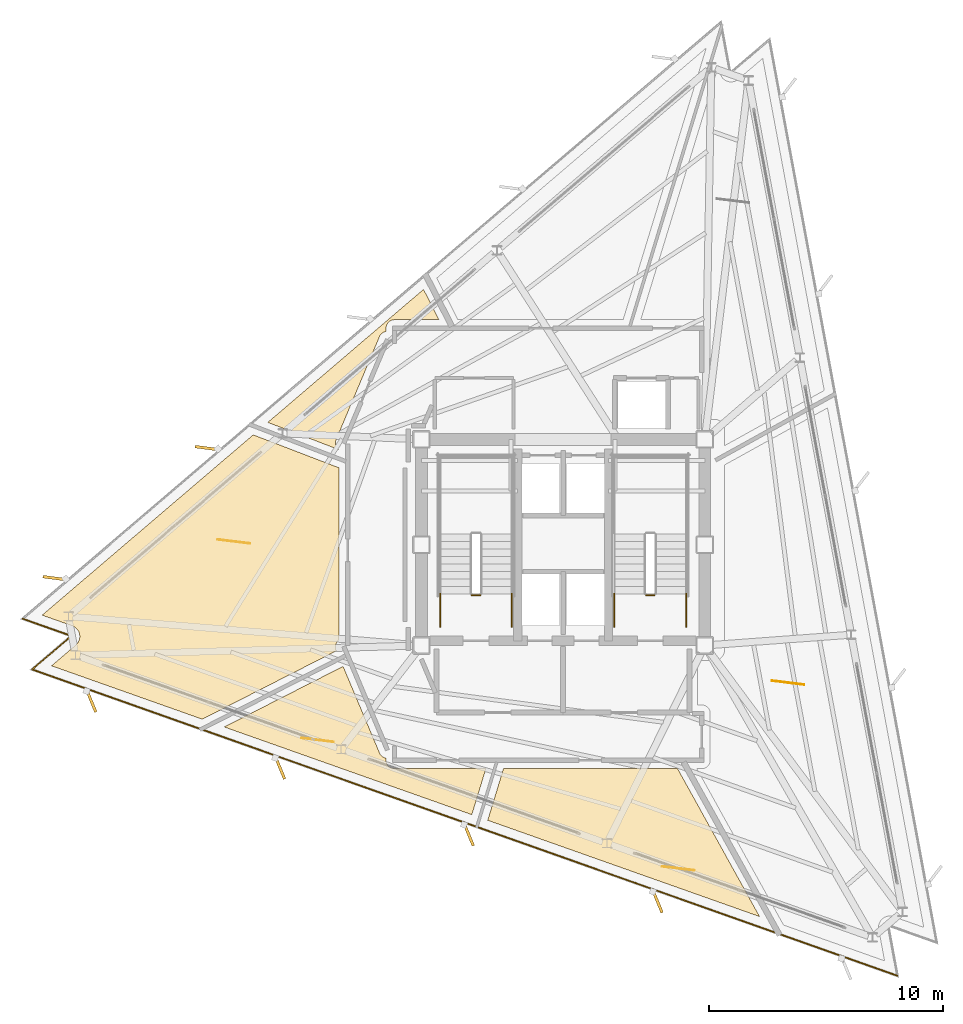
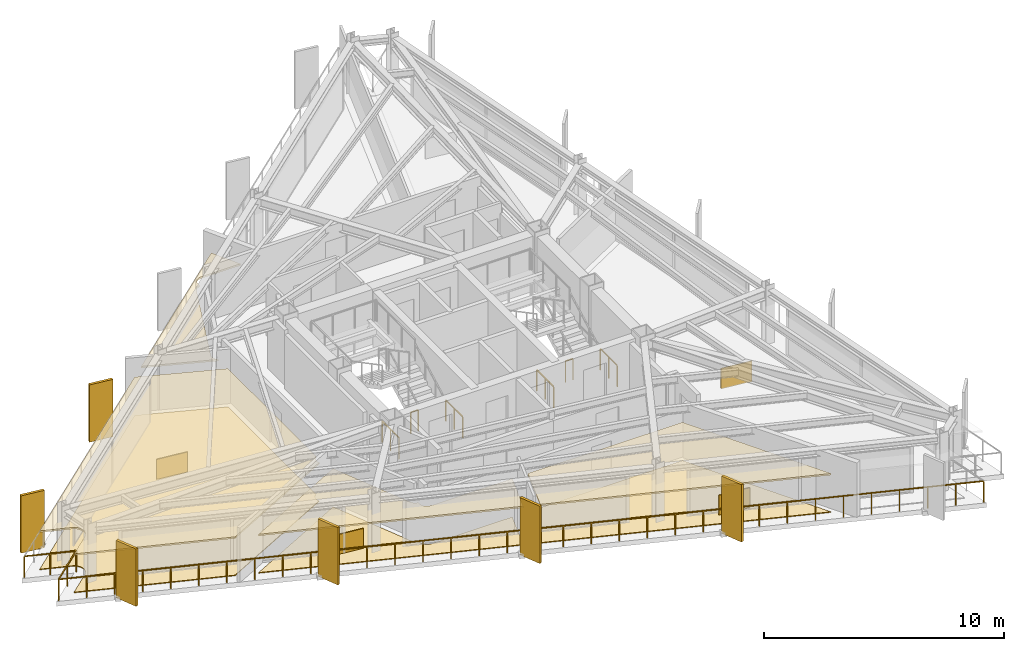
# One storey, part 11 of 14: 11 coverings, 7 railings, 6 shading devices.
"""IFC4 building model written with IfcOpenShell, lengths in metres."""

from ifc_helpers import new_model, si_unit, direction, frame, origin, origin_2d, place, context, subcontext, project, spatial, polyline, rectangle, outline, extrude, material, layer, layer_set, type_object, element, save


model = new_model("IFC4")

# Units and contexts
model_context = context("Model", 3, precision=1e-05, world=origin(), true_north=direction((0.0, 1.0)))
body_context = subcontext(model_context, "Body", "Model", "MODEL_VIEW")
ifc_project = project(units=[si_unit("LENGTHUNIT", "METRE"), si_unit("AREAUNIT", "SQUARE_METRE"), si_unit("VOLUMEUNIT", "CUBIC_METRE"), si_unit("PLANEANGLEUNIT", "RADIAN"), si_unit("MASSUNIT", "GRAM", prefix="KILO")], contexts=[model_context])

# Site, building, storey
site_placement = place(None, origin())
site = spatial("IfcSite", under=ifc_project, at=site_placement, CompositionType="ELEMENT")
building_placement = place(site_placement, origin())
building = spatial("IfcBuilding", under=site, at=building_placement, Name="Rocaltana Carrier Exchange", CompositionType="ELEMENT")
storey_placement = place(building_placement, frame((0.0, 0.0, 178.39990234375)))
storey = spatial("IfcBuildingStorey", under=building, at=storey_placement, Name="L56", CompositionType="ELEMENT", Elevation=178.39990234375)

# Coverings
ifc_material_1 = material(Name="Honed Bogota Sandstone Tile", Category="masonry")
ifc_layer_1 = layer(ifc_material_1, 0.0400390625)
ifc_layer_set_1 = layer_set([ifc_layer_1], Name="Honed Bogota Sandstone Tile")
covering_type_1 = type_object("IfcCoveringType", Name="Honed Stone Lobby Flooring 40", PredefinedType="FLOORING", material=ifc_layer_set_1)
covering_1_placement = place(storey_placement, origin())
element("IfcCovering", 1, at=covering_1_placement, inside=storey, type_object=covering_type_1, Name="L56 Client Reception Foyer Finish Floor", PredefinedType="FLOORING", context=body_context, shape_type="SweptSolid", body=[
    extrude(outline(polyline([(-20.80615234375, -4.279052734375), (-20.795654296875, -4.269775390625), (-20.78125, -4.256103515625), (-20.761962890625, -4.23583984375), (-20.748779296875, -4.220703125), (-20.731689453125, -4.19873046875), (-20.72021484375, -4.1826171875), (-20.705078125, -4.158935546875), (-20.6953125, -4.1416015625), (-20.682861328125, -4.11669921875), (-20.6748046875, -4.098388671875), (-20.664794921875, -4.072265625), (-20.65869140625, -4.053466796875), (-20.6513671875, -4.0263671875), (-20.64697265625, -4.0068359375), (-20.642333984375, -3.9794921875), (-20.64013671875, -3.959716796875), (-20.63818359375, -3.931884765625), (-20.637939453125, -3.911865234375), (-20.638916015625, -3.8837890625), (-20.640625, -3.864013671875), (-20.644287109375, -3.83642578125), (-20.64794921875, -3.81689453125), (-20.654296875, -3.78955078125), (-20.659912109375, -3.7705078125), (-20.6689453125, -3.744140625), (-20.676513671875, -3.7255859375), (-20.688232421875, -3.7001953125), (-20.697509765625, -3.6826171875), (-20.711669921875, -3.658447265625), (-20.72265625, -3.641845703125), (-20.739013671875, -3.619384765625), (-20.751708984375, -3.60400390625), (-20.770263671875, -3.5830078125), (-20.7841796875, -3.569091796875), (-20.804931640625, -3.55029296875), (-20.8203125, -3.53759765625), (-20.8427734375, -3.520751953125), (-20.859375, -3.509765625), (-20.88330078125, -3.495361328125), (-20.90087890625, -3.486083984375), (-20.926025390625, -3.47412109375), (-20.944580078125, -3.466552734375), (-20.95751953125, -3.46142578125), (-22.247802734375, -3.004638671875), (-13.2333984375, 4.694091796875), (-9.56005859375, 3.2841796875), (-9.56005859375, -4.052001953125), (-9.57177734375, -4.06005859375), (-9.578125, -4.064697265625), (-9.59912109375, -4.082275390625), (-9.60498046875, -4.087646484375), (-9.624267578125, -4.107177734375), (-9.629638671875, -4.113037109375), (-9.64697265625, -4.134521484375), (-9.651611328125, -4.140625), (-9.666748046875, -4.16357421875), (-9.670654296875, -4.17041015625), (-9.68359375, -4.194580078125), (-9.686767578125, -4.201904296875), (-9.697265625, -4.227294921875), (-9.69970703125, -4.234619140625), (-9.70751953125, -4.260986328125), (-9.70947265625, -4.2685546875), (-9.714599609375, -4.295654296875), (-9.7158203125, -4.30322265625), (-9.718505859375, -4.330810546875), (-9.71875, -4.33837890625), (-9.718505859375, -4.365966796875), (-9.71826171875, -4.373779296875), (-9.71533203125, -4.401123046875), (-9.714111328125, -4.408935546875), (-9.70849609375, -4.435791015625), (-9.706787109375, -4.443603515625), (-9.698486328125, -4.4697265625), (-9.69580078125, -4.47705078125), (-9.69091796875, -4.489990234375), (-9.67578125, -4.52587890625), (-15.4091796875, -7.447509765625), (-21.8466796875, -5.167724609375), (-20.80615234375, -4.279052734375)])), origin(), (0.0, 0.0, 1.0), 0.0400390625),
])
covering_2_placement = place(storey_placement, origin())
element("IfcCovering", 2, at=covering_2_placement, inside=storey, type_object=covering_type_1, Name="L56 Staff Break Pantry Finish Floor", PredefinedType="FLOORING", context=body_context, shape_type="SweptSolid", body=[
    extrude(outline(polyline([(-14.4736328125, -7.77880859375), (-9.39599609375, -5.19140625), (-7.8408203125, -8.889892578125), (-7.835205078125, -8.90234375), (-7.831787109375, -8.909423828125), (-7.818603515625, -8.93359375), (-7.814697265625, -8.9404296875), (-7.79931640625, -8.963134765625), (-7.794677734375, -8.969482421875), (-7.777099609375, -8.990478515625), (-7.771728515625, -8.996337890625), (-7.752197265625, -9.015625), (-7.746337890625, -9.02099609375), (-7.72509765625, -9.038330078125), (-7.71875, -9.04296875), (-7.69580078125, -9.05810546875), (-7.68896484375, -9.06201171875), (-7.664794921875, -9.074951171875), (-7.65771484375, -9.078125), (-7.632080078125, -9.088623046875), (-7.624755859375, -9.09130859375), (-7.598388671875, -9.09912109375), (-7.5908203125, -9.100830078125), (-7.563720703125, -9.106201171875), (-7.56005859375, -9.106689453125), (-7.56005859375, -9.199951171875), (-7.559814453125, -9.213623046875), (-7.559326171875, -9.2216796875), (-7.556640625, -9.248779296875), (-7.555419921875, -9.256591796875), (-7.550048828125, -9.28369140625), (-7.548095703125, -9.291259765625), (-7.540283203125, -9.317626953125), (-7.53759765625, -9.324951171875), (-7.527099609375, -9.350341796875), (-7.523681640625, -9.357421875), (-7.5107421875, -9.381591796875), (-7.506591796875, -9.388427734375), (-7.491455078125, -9.4111328125), (-7.48681640625, -9.41748046875), (-7.46923828125, -9.438720703125), (-7.464111328125, -9.444580078125), (-7.444580078125, -9.464111328125), (-7.438720703125, -9.46923828125), (-7.41748046875, -9.48681640625), (-7.4111328125, -9.491455078125), (-7.388427734375, -9.506591796875), (-7.381591796875, -9.5107421875), (-7.357421875, -9.523681640625), (-7.350341796875, -9.527099609375), (-7.324951171875, -9.53759765625), (-7.317626953125, -9.540283203125), (-7.291259765625, -9.548095703125), (-7.28369140625, -9.550048828125), (-7.256591796875, -9.555419921875), (-7.248779296875, -9.556640625), (-7.2216796875, -9.559326171875), (-7.213623046875, -9.559814453125), (-7.199951171875, -9.56005859375), (-3.29931640625, -9.56005859375), (-3.8994140625, -11.523193359375), (-14.4736328125, -7.77880859375)])), origin(), (0.0, 0.0, 1.0), 0.0400390625),
])
covering_3_placement = place(storey_placement, origin())
element("IfcCovering", 3, at=covering_3_placement, inside=storey, type_object=covering_type_1, Name="L56 Client Reception Foyer Finish Floor", PredefinedType="FLOORING", context=body_context, shape_type="SweptSolid", body=[
    extrude(outline(polyline([(-3.22021484375, -11.763916015625), (-2.54638671875, -9.56005859375), (4.8876953125, -9.56005859375), (8.3876953125, -15.874267578125), (-3.22021484375, -11.763916015625)])), origin(), (0.0, 0.0, 1.0), 0.0400390625),
])
ifc_material_2 = material(Name="Anodised Aluminium 6063-T6", Category="aluminium")
ifc_layer_2 = layer(ifc_material_2, 0.0849609375)
ifc_layer_set_2 = layer_set([ifc_layer_2], Name="Anodised Aluminium 6063-T6")
covering_type_2 = type_object("IfcCoveringType", Name="Linear Baffle Acoustic Ceiling 85", PredefinedType="CEILING", material=ifc_layer_set_2)
covering_4_placement = place(storey_placement, frame((0.0, 0.0, 1.903076171875)))
element("IfcCovering", 4, at=covering_4_placement, inside=storey, type_object=covering_type_2, Name="L56 Client Reception Foyer Acoustic Ceiling", PredefinedType="CEILING", context=body_context, shape_type="SweptSolid", body=[
    extrude(outline(polyline([(-20.80615234375, -4.279052734375), (-20.795654296875, -4.269775390625), (-20.78125, -4.256103515625), (-20.761962890625, -4.23583984375), (-20.748779296875, -4.220703125), (-20.731689453125, -4.19873046875), (-20.72021484375, -4.1826171875), (-20.705078125, -4.158935546875), (-20.6953125, -4.1416015625), (-20.682861328125, -4.11669921875), (-20.6748046875, -4.098388671875), (-20.664794921875, -4.072265625), (-20.65869140625, -4.053466796875), (-20.6513671875, -4.0263671875), (-20.64697265625, -4.0068359375), (-20.642333984375, -3.9794921875), (-20.64013671875, -3.959716796875), (-20.63818359375, -3.931884765625), (-20.637939453125, -3.911865234375), (-20.638916015625, -3.8837890625), (-20.640625, -3.864013671875), (-20.644287109375, -3.83642578125), (-20.64794921875, -3.81689453125), (-20.654296875, -3.78955078125), (-20.659912109375, -3.7705078125), (-20.6689453125, -3.744140625), (-20.676513671875, -3.7255859375), (-20.688232421875, -3.7001953125), (-20.697509765625, -3.6826171875), (-20.711669921875, -3.658447265625), (-20.72265625, -3.641845703125), (-20.739013671875, -3.619384765625), (-20.751708984375, -3.60400390625), (-20.770263671875, -3.5830078125), (-20.7841796875, -3.569091796875), (-20.804931640625, -3.55029296875), (-20.8203125, -3.53759765625), (-20.8427734375, -3.520751953125), (-20.859375, -3.509765625), (-20.88330078125, -3.495361328125), (-20.90087890625, -3.486083984375), (-20.926025390625, -3.47412109375), (-20.944580078125, -3.466552734375), (-20.95751953125, -3.46142578125), (-22.247802734375, -3.004638671875), (-13.2333984375, 4.694091796875), (-9.56005859375, 3.2841796875), (-9.56005859375, -4.052001953125), (-9.57177734375, -4.06005859375), (-9.578125, -4.064697265625), (-9.59912109375, -4.082275390625), (-9.60498046875, -4.087646484375), (-9.624267578125, -4.107177734375), (-9.629638671875, -4.113037109375), (-9.64697265625, -4.134521484375), (-9.651611328125, -4.140625), (-9.666748046875, -4.16357421875), (-9.670654296875, -4.17041015625), (-9.68359375, -4.194580078125), (-9.686767578125, -4.201904296875), (-9.697265625, -4.227294921875), (-9.69970703125, -4.234619140625), (-9.70751953125, -4.260986328125), (-9.70947265625, -4.2685546875), (-9.714599609375, -4.295654296875), (-9.7158203125, -4.30322265625), (-9.718505859375, -4.330810546875), (-9.71875, -4.33837890625), (-9.718505859375, -4.365966796875), (-9.71826171875, -4.373779296875), (-9.71533203125, -4.401123046875), (-9.714111328125, -4.408935546875), (-9.70849609375, -4.435791015625), (-9.706787109375, -4.443603515625), (-9.698486328125, -4.4697265625), (-9.69580078125, -4.47705078125), (-9.69091796875, -4.489990234375), (-9.67578125, -4.52587890625), (-15.4091796875, -7.447509765625), (-21.8466796875, -5.167724609375), (-20.80615234375, -4.279052734375)])), origin(), (0.0, 0.0, 1.0), 0.0849609375),
])
covering_5_placement = place(storey_placement, frame((0.0, 0.0, 1.903076171875)))
element("IfcCovering", 5, at=covering_5_placement, inside=storey, type_object=covering_type_2, Name="L56 Staff Break Pantry Acoustic Ceiling", PredefinedType="CEILING", context=body_context, shape_type="SweptSolid", body=[
    extrude(outline(polyline([(-14.4736328125, -7.77880859375), (-9.39599609375, -5.19140625), (-7.8408203125, -8.889892578125), (-7.835205078125, -8.90234375), (-7.831787109375, -8.909423828125), (-7.818603515625, -8.93359375), (-7.814697265625, -8.9404296875), (-7.79931640625, -8.963134765625), (-7.794677734375, -8.969482421875), (-7.777099609375, -8.990478515625), (-7.771728515625, -8.996337890625), (-7.752197265625, -9.015625), (-7.746337890625, -9.02099609375), (-7.72509765625, -9.038330078125), (-7.71875, -9.04296875), (-7.69580078125, -9.05810546875), (-7.68896484375, -9.06201171875), (-7.664794921875, -9.074951171875), (-7.65771484375, -9.078125), (-7.632080078125, -9.088623046875), (-7.624755859375, -9.09130859375), (-7.598388671875, -9.09912109375), (-7.5908203125, -9.100830078125), (-7.563720703125, -9.106201171875), (-7.56005859375, -9.106689453125), (-7.56005859375, -9.199951171875), (-7.559814453125, -9.213623046875), (-7.559326171875, -9.2216796875), (-7.556640625, -9.248779296875), (-7.555419921875, -9.256591796875), (-7.550048828125, -9.28369140625), (-7.548095703125, -9.291259765625), (-7.540283203125, -9.317626953125), (-7.53759765625, -9.324951171875), (-7.527099609375, -9.350341796875), (-7.523681640625, -9.357421875), (-7.5107421875, -9.381591796875), (-7.506591796875, -9.388427734375), (-7.491455078125, -9.4111328125), (-7.48681640625, -9.41748046875), (-7.46923828125, -9.438720703125), (-7.464111328125, -9.444580078125), (-7.444580078125, -9.464111328125), (-7.438720703125, -9.46923828125), (-7.41748046875, -9.48681640625), (-7.4111328125, -9.491455078125), (-7.388427734375, -9.506591796875), (-7.381591796875, -9.5107421875), (-7.357421875, -9.523681640625), (-7.350341796875, -9.527099609375), (-7.324951171875, -9.53759765625), (-7.317626953125, -9.540283203125), (-7.291259765625, -9.548095703125), (-7.28369140625, -9.550048828125), (-7.256591796875, -9.555419921875), (-7.248779296875, -9.556640625), (-7.2216796875, -9.559326171875), (-7.213623046875, -9.559814453125), (-7.199951171875, -9.56005859375), (-3.29931640625, -9.56005859375), (-3.8994140625, -11.523193359375), (-14.4736328125, -7.77880859375)])), origin(), (0.0, 0.0, 1.0), 0.0849609375),
])
covering_6_placement = place(storey_placement, frame((0.0, 0.0, 1.903076171875)))
element("IfcCovering", 6, at=covering_6_placement, inside=storey, type_object=covering_type_2, Name="L56 Client Reception Foyer Acoustic Ceiling", PredefinedType="CEILING", context=body_context, shape_type="SweptSolid", body=[
    extrude(outline(polyline([(-3.22021484375, -11.763916015625), (-2.54638671875, -9.56005859375), (4.8876953125, -9.56005859375), (8.3876953125, -15.874267578125), (-3.22021484375, -11.763916015625)])), origin(), (0.0, 0.0, 1.0), 0.0849609375),
])
covering_7_placement = place(storey_placement, frame((0.0, 0.0, 1.903076171875)))
element("IfcCovering", 7, at=covering_7_placement, inside=storey, type_object=covering_type_2, Name="L56 Client Reception Foyer Acoustic Ceiling", PredefinedType="CEILING", context=body_context, shape_type="SweptSolid", body=[
    extrude(outline(polyline([(-9.571044921875, 4.0595703125), (-12.610595703125, 5.226318359375), (-5.960693359375, 10.90576171875), (-5.300537109375, 9.610107421875), (-7.199951171875, 9.610107421875), (-7.213623046875, 9.609619140625), (-7.2216796875, 9.609375), (-7.248779296875, 9.606689453125), (-7.256591796875, 9.60546875), (-7.28369140625, 9.60009765625), (-7.291259765625, 9.59814453125), (-7.317626953125, 9.590087890625), (-7.324951171875, 9.58740234375), (-7.350341796875, 9.576904296875), (-7.357421875, 9.57373046875), (-7.381591796875, 9.560791015625), (-7.388427734375, 9.556640625), (-7.4111328125, 9.54150390625), (-7.41748046875, 9.53662109375), (-7.438720703125, 9.519287109375), (-7.444580078125, 9.513916015625), (-7.464111328125, 9.49462890625), (-7.46923828125, 9.48876953125), (-7.48681640625, 9.467529296875), (-7.491455078125, 9.461181640625), (-7.506591796875, 9.4384765625), (-7.5107421875, 9.431640625), (-7.523681640625, 9.407470703125), (-7.527099609375, 9.400390625), (-7.53759765625, 9.375), (-7.540283203125, 9.36767578125), (-7.548095703125, 9.34130859375), (-7.550048828125, 9.33349609375), (-7.555419921875, 9.306640625), (-7.556640625, 9.298828125), (-7.559326171875, 9.271484375), (-7.559814453125, 9.263671875), (-7.56005859375, 9.25), (-7.56005859375, 9.106689453125), (-7.563720703125, 9.106201171875), (-7.5908203125, 9.100830078125), (-7.598388671875, 9.09912109375), (-7.624755859375, 9.09130859375), (-7.632080078125, 9.088623046875), (-7.65771484375, 9.078125), (-7.664794921875, 9.074951171875), (-7.68896484375, 9.06201171875), (-7.69580078125, 9.05810546875), (-7.71875, 9.04296875), (-7.72509765625, 9.038330078125), (-7.746337890625, 9.02099609375), (-7.752197265625, 9.015625), (-7.771728515625, 8.996337890625), (-7.777099609375, 8.990478515625), (-7.794677734375, 8.969482421875), (-7.79931640625, 8.963134765625), (-7.814697265625, 8.9404296875), (-7.818603515625, 8.93359375), (-7.831787109375, 8.909423828125), (-7.835205078125, 8.90234375), (-7.8408203125, 8.889892578125), (-9.69091796875, 4.489990234375), (-9.69580078125, 4.47705078125), (-9.698486328125, 4.4697265625), (-9.706787109375, 4.443603515625), (-9.70849609375, 4.435791015625), (-9.714111328125, 4.408935546875), (-9.71533203125, 4.401123046875), (-9.71826171875, 4.373779296875), (-9.718505859375, 4.365966796875), (-9.71875, 4.33837890625), (-9.718505859375, 4.330810546875), (-9.7158203125, 4.30322265625), (-9.714599609375, 4.295654296875), (-9.70947265625, 4.2685546875), (-9.70751953125, 4.260986328125), (-9.69970703125, 4.234619140625), (-9.697265625, 4.227294921875), (-9.686767578125, 4.201904296875), (-9.68359375, 4.194580078125), (-9.670654296875, 4.17041015625), (-9.666748046875, 4.16357421875), (-9.651611328125, 4.140625), (-9.64697265625, 4.134521484375), (-9.629638671875, 4.113037109375), (-9.624267578125, 4.107177734375), (-9.60498046875, 4.087646484375), (-9.59912109375, 4.082275390625), (-9.578125, 4.064697265625), (-9.57177734375, 4.06005859375), (-9.571044921875, 4.0595703125)])), origin(), (0.0, 0.0, 1.0), 0.0849609375),
])

# Railings
ifc_material_3 = material(Name="Powder-Coated Aluminium 6063-T6", Category="aluminium")
ifc_layer_3 = layer(ifc_material_3, 0.048095703125)
ifc_layer_set_3 = layer_set([ifc_layer_3], Name="Powder-Coated Aluminium 6063-T6")
railing_type_1 = type_object("IfcRailingType", Name="Stair Well Guardrail 1100", PredefinedType="GUARDRAIL", material=ifc_layer_set_3)
railing_1_placement = place(storey_placement, frame((-3.5400390625, -2.14990234375, 0.0)))
element("IfcRailing", 8, at=railing_1_placement, inside=storey, type_object=railing_type_1, Name="L56 ST-1 stair guard 7", PredefinedType="GUARDRAIL", context=body_context, shape_type="SweptSolid", body=[
    extrude(rectangle(XDim=0.048095703125, YDim=0.048095703125, at=origin_2d()), frame((0.0, 0.0, 1.076171875), z_axis=(-1.0, 0.0, 0.0), x_axis=(0.0, -1.0, 0.0)), (0.0, 0.0, 1.0), 0.35986328125),
    extrude(rectangle(XDim=0.0419921875, YDim=0.0419921875, at=origin_2d()), origin(), (0.0, 0.0, 1.0), 1.052001953125),
    extrude(rectangle(XDim=0.0419921875, YDim=0.0419921875, at=origin_2d()), frame((-0.35986328125, 0.0, 0.0)), (0.0, 0.0, 1.0), 1.052001953125),
])
for number, where, name in (
    (9, (-2.18994140625, -3.5, 0.0), "L56 ST-1 stair guard 8"),
    (10, (-5.25, -3.5, 0.0), "L56 ST-1 stair guard 9"),
):
    element("IfcRailing", number, at=place(storey_placement, frame(where)), inside=storey, type_object=railing_type_1, Name=name, PredefinedType="GUARDRAIL", context=body_context, shape_type="SweptSolid", body=[
        extrude(rectangle(XDim=0.048095703125, YDim=0.048095703125, at=origin_2d()), frame((0.0, 0.0, 1.076171875), z_axis=(0.0, 1.0, 0.0), x_axis=(-1.0, 0.0, 0.0)), (0.0, 0.0, 1.0), 1.39990234375),
        extrude(rectangle(XDim=0.0419921875, YDim=0.0419921875, at=origin_2d()), origin(), (0.0, 0.0, 1.0), 1.052001953125),
        extrude(rectangle(XDim=0.0419921875, YDim=0.0419921875, at=origin_2d()), frame((0.0, 0.699951171875, 0.0)), (0.0, 0.0, 1.0), 1.052001953125),
        extrude(rectangle(XDim=0.0419921875, YDim=0.0419921875, at=origin_2d()), frame((0.0, 1.39990234375, 0.0)), (0.0, 0.0, 1.0), 1.052001953125),
    ])
railing_2_placement = place(storey_placement, frame((3.89990234375, -2.14990234375, 0.0)))
element("IfcRailing", 11, at=railing_2_placement, inside=storey, type_object=railing_type_1, Name="L56 ST-2 stair guard 7", PredefinedType="GUARDRAIL", context=body_context, shape_type="SweptSolid", body=[
    extrude(rectangle(XDim=0.048095703125, YDim=0.048095703125, at=origin_2d()), frame((0.0, 0.0, 1.076171875), z_axis=(-1.0, 0.0, 0.0), x_axis=(0.0, -1.0, 0.0)), (0.0, 0.0, 1.0), 0.35986328125),
    extrude(rectangle(XDim=0.0419921875, YDim=0.0419921875, at=origin_2d()), origin(), (0.0, 0.0, 1.0), 1.052001953125),
    extrude(rectangle(XDim=0.0419921875, YDim=0.0419921875, at=origin_2d()), frame((-0.35986328125, 0.0, 0.0)), (0.0, 0.0, 1.0), 1.052001953125),
])
for number, where, name in (
    (12, (5.25, -3.5, 0.0), "L56 ST-2 stair guard 8"),
    (13, (2.18994140625, -3.5, 0.0), "L56 ST-2 stair guard 9"),
):
    element("IfcRailing", number, at=place(storey_placement, frame(where)), inside=storey, type_object=railing_type_1, Name=name, PredefinedType="GUARDRAIL", context=body_context, shape_type="SweptSolid", body=[
        extrude(rectangle(XDim=0.048095703125, YDim=0.048095703125, at=origin_2d()), frame((0.0, 0.0, 1.076171875), z_axis=(0.0, 1.0, 0.0), x_axis=(-1.0, 0.0, 0.0)), (0.0, 0.0, 1.0), 1.39990234375),
        extrude(rectangle(XDim=0.0419921875, YDim=0.0419921875, at=origin_2d()), origin(), (0.0, 0.0, 1.0), 1.052001953125),
        extrude(rectangle(XDim=0.0419921875, YDim=0.0419921875, at=origin_2d()), frame((0.0, 0.699951171875, 0.0)), (0.0, 0.0, 1.0), 1.052001953125),
        extrude(rectangle(XDim=0.0419921875, YDim=0.0419921875, at=origin_2d()), frame((0.0, 1.39990234375, 0.0)), (0.0, 0.0, 1.0), 1.052001953125),
    ])

# Coverings
ifc_material_4 = material(Name="Honed Piedra Muneca Sandstone", Category="masonry")
ifc_layer_4 = layer(ifc_material_4, 0.034912109375)
ifc_layer_set_4 = layer_set([ifc_layer_4], Name="Honed Piedra Muneca Sandstone")
covering_type_3 = type_object("IfcCoveringType", Name="Stone Facade Cladding 35", PredefinedType="CLADDING", material=ifc_layer_set_4)
for number, where, z_axis, x_axis, name in (
    (14, (-14.06298828125, 0.1396484375, 0.0), (0.0, 0.0, 1.0), (-0.992546151641, 0.121869343405, 0.0), "L56 Stone Facade Cladding Panel 1"),
    (15, (-10.489501953125, -8.334228515625, 0.0), (0.0, 0.0, 1.0), (-0.992546151641, 0.121869343405, 0.0), "L56 Stone Facade Cladding Panel 2"),
    (16, (4.916015625, -13.819091796875, 0.0), (0.0, 0.0, 1.0), (-0.992546151641, 0.121869343405, 0.0), "L56 Stone Facade Cladding Panel 3"),
    (17, (9.601318359375, -5.889892578125, 0.0), (0.0, 0.0, 1.0), (-0.992546151641, 0.121869343405, 0.0), "L56 Stone Facade Cladding Panel 4"),
):
    element("IfcCovering", number, at=place(storey_placement, frame(where, z_axis=z_axis, x_axis=x_axis)), inside=storey, type_object=covering_type_3, Name=name, PredefinedType="CLADDING", context=body_context, shape_type="SweptSolid", body=[
        extrude(rectangle(XDim=1.39990234375, YDim=0.034912109375, at=origin_2d()), origin(), (0.0, 0.0, 1.0), 1.050048828125),
    ])

# Shading devices
ifc_material_5 = material(Name="Honed Bogota Sandstone & Concrete C45/55", Category="masonry")
ifc_layer_5 = layer(ifc_material_5, 0.1201171875)
ifc_layer_set_5 = layer_set([ifc_layer_5], Name="Honed Bogota Sandstone & Concrete C45/55")
shading_device_type = type_object("IfcShadingDeviceType", Name="Upper Sandstone Shading Fin 1050x120", PredefinedType="USERDEFINED", material=ifc_layer_set_5)
for number, where, z_axis, x_axis, name in (
    (18, (-15.19384765625, 4.125, -0.119873046875), (0.0, 0.0, 1.0), (-0.991444861374, 0.13052619222, 0.0), "L56 Sandstone Vertical Fin F2-04"),
    (19, (-21.6953125, -1.427734375, -0.119873046875), (0.0, 0.0, 1.0), (-0.991444861374, 0.13052619222, 0.0), "L56 Sandstone Vertical Fin F2-05"),
    (20, (-20.154296875, -6.65869140625, -0.119873046875), (0.0, 0.0, 1.0), (0.382683432365, -0.923879532511, 0.0), "L56 Sandstone Vertical Fin F3-01"),
    (21, (-12.094482421875, -9.5126953125, -0.119873046875), (0.0, 0.0, 1.0), (0.382683432365, -0.923879532511, 0.0), "L56 Sandstone Vertical Fin F3-02"),
    (22, (-4.034912109375, -12.36669921875, -0.119873046875), (0.0, 0.0, 1.0), (0.382683432365, -0.923879532511, 0.0), "L56 Sandstone Vertical Fin F3-03"),
    (23, (4.0244140625, -15.220947265625, -0.119873046875), (0.0, 0.0, 1.0), (0.382683432365, -0.923879532511, 0.0), "L56 Sandstone Vertical Fin F3-04"),
):
    element("IfcShadingDevice", number, at=place(storey_placement, frame(where, z_axis=z_axis, x_axis=x_axis)), inside=storey, type_object=shading_device_type, Name=name, ObjectType="FIN", PredefinedType="USERDEFINED", context=body_context, shape_type="SweptSolid", body=[
        extrude(rectangle(XDim=1.050048828125, YDim=0.1201171875, at=origin_2d()), origin(), (0.0, 0.0, 1.0), 2.91796875),
    ])

# Railing
ifc_material_6 = material(Name="Powder-Coated Aluminium 6063-T6", Category="aluminium")
ifc_layer_6 = layer(ifc_material_6, 0.06005859375)
ifc_layer_set_6 = layer_set([ifc_layer_6], Name="Powder-Coated Aluminium 6063-T6")
railing_type_2 = type_object("IfcRailingType", Name="Wind-Floor & Terrace Perimeter Guardrail 1100", PredefinedType="GUARDRAIL", material=ifc_layer_set_6)
railing_3_placement = place(storey_placement, frame((14.271484375, -18.403564453125, 0.0)))
element("IfcRailing", 24, at=railing_3_placement, inside=storey, type_object=railing_type_2, Name="L56 Perimeter Balcony Guardrail 1", PredefinedType="GUARDRAIL", context=body_context, shape_type="SweptSolid", body=[
    extrude(rectangle(XDim=0.048095703125, YDim=0.048095703125, at=origin_2d()), frame((0.0, 0.0, 1.076171875), z_axis=(-0.94264008911, 0.333810818284, 0.0), x_axis=(-0.333810818284, -0.94264008911, 0.0)), (0.0, 0.0, 1.0), 39.192138671875),
    extrude(rectangle(XDim=0.048095703125, YDim=0.048095703125, at=origin_2d()), frame((-36.944091796875, 13.082763671875, 1.076171875), z_axis=(0.760414781346, 0.649437726275, 0.0), x_axis=(-0.649437726275, 0.760414781346, 0.0)), (0.0, 0.0, 1.0), 2.199951171875),
    extrude(rectangle(XDim=0.048095703125, YDim=0.048095703125, at=origin_2d()), frame((-35.271240234375, 14.511474609375, 1.076171875), z_axis=(-0.942637410797, 0.333818381408, 0.0), x_axis=(-0.333818381408, -0.942637410797, 0.0)), (0.0, 0.0, 1.0), 2.199951171875),
    extrude(rectangle(XDim=0.0419921875, YDim=0.0419921875, at=origin_2d()), origin(), (0.0, 0.0, 1.0), 1.052001953125),
    extrude(rectangle(XDim=0.0419921875, YDim=0.0419921875, at=origin_2d()), frame((-1.11962890625, 0.396484375, 0.0)), (0.0, 0.0, 1.0), 1.052001953125),
    extrude(rectangle(XDim=0.0419921875, YDim=0.0419921875, at=origin_2d()), frame((-2.239013671875, 0.79296875, 0.0)), (0.0, 0.0, 1.0), 1.052001953125),
    extrude(rectangle(XDim=0.0419921875, YDim=0.0419921875, at=origin_2d()), frame((-3.358642578125, 1.189453125, 0.0)), (0.0, 0.0, 1.0), 1.052001953125),
    extrude(rectangle(XDim=0.0419921875, YDim=0.0419921875, at=origin_2d()), frame((-4.47802734375, 1.585693359375, 0.0)), (0.0, 0.0, 1.0), 1.052001953125),
    extrude(rectangle(XDim=0.0419921875, YDim=0.0419921875, at=origin_2d()), frame((-5.59765625, 1.982177734375, 0.0)), (0.0, 0.0, 1.0), 1.052001953125),
    extrude(rectangle(XDim=0.0419921875, YDim=0.0419921875, at=origin_2d()), frame((-6.717041015625, 2.378662109375, 0.0)), (0.0, 0.0, 1.0), 1.052001953125),
    extrude(rectangle(XDim=0.0419921875, YDim=0.0419921875, at=origin_2d()), frame((-7.836669921875, 2.775146484375, 0.0)), (0.0, 0.0, 1.0), 1.052001953125),
    extrude(rectangle(XDim=0.0419921875, YDim=0.0419921875, at=origin_2d()), frame((-8.9560546875, 3.171630859375, 0.0)), (0.0, 0.0, 1.0), 1.052001953125),
    extrude(rectangle(XDim=0.0419921875, YDim=0.0419921875, at=origin_2d()), frame((-10.07568359375, 3.568115234375, 0.0)), (0.0, 0.0, 1.0), 1.052001953125),
    extrude(rectangle(XDim=0.0419921875, YDim=0.0419921875, at=origin_2d()), frame((-11.195068359375, 3.96435546875, 0.0)), (0.0, 0.0, 1.0), 1.052001953125),
    extrude(rectangle(XDim=0.0419921875, YDim=0.0419921875, at=origin_2d()), frame((-12.314697265625, 4.36083984375, 0.0)), (0.0, 0.0, 1.0), 1.052001953125),
    extrude(rectangle(XDim=0.0419921875, YDim=0.0419921875, at=origin_2d()), frame((-13.434326171875, 4.75732421875, 0.0)), (0.0, 0.0, 1.0), 1.052001953125),
    extrude(rectangle(XDim=0.0419921875, YDim=0.0419921875, at=origin_2d()), frame((-14.5537109375, 5.15380859375, 0.0)), (0.0, 0.0, 1.0), 1.052001953125),
    extrude(rectangle(XDim=0.0419921875, YDim=0.0419921875, at=origin_2d()), frame((-15.67333984375, 5.55029296875, 0.0)), (0.0, 0.0, 1.0), 1.052001953125),
    extrude(rectangle(XDim=0.0419921875, YDim=0.0419921875, at=origin_2d()), frame((-16.792724609375, 5.94677734375, 0.0)), (0.0, 0.0, 1.0), 1.052001953125),
    extrude(rectangle(XDim=0.0419921875, YDim=0.0419921875, at=origin_2d()), frame((-17.912353515625, 6.34326171875, 0.0)), (0.0, 0.0, 1.0), 1.052001953125),
    extrude(rectangle(XDim=0.0419921875, YDim=0.0419921875, at=origin_2d()), frame((-19.03173828125, 6.739501953125, 0.0)), (0.0, 0.0, 1.0), 1.052001953125),
    extrude(rectangle(XDim=0.0419921875, YDim=0.0419921875, at=origin_2d()), frame((-20.1513671875, 7.135986328125, 0.0)), (0.0, 0.0, 1.0), 1.052001953125),
    extrude(rectangle(XDim=0.0419921875, YDim=0.0419921875, at=origin_2d()), frame((-21.270751953125, 7.532470703125, 0.0)), (0.0, 0.0, 1.0), 1.052001953125),
    extrude(rectangle(XDim=0.0419921875, YDim=0.0419921875, at=origin_2d()), frame((-22.390380859375, 7.928955078125, 0.0)), (0.0, 0.0, 1.0), 1.052001953125),
    extrude(rectangle(XDim=0.0419921875, YDim=0.0419921875, at=origin_2d()), frame((-23.509765625, 8.325439453125, 0.0)), (0.0, 0.0, 1.0), 1.052001953125),
    extrude(rectangle(XDim=0.0419921875, YDim=0.0419921875, at=origin_2d()), frame((-24.62939453125, 8.721923828125, 0.0)), (0.0, 0.0, 1.0), 1.052001953125),
    extrude(rectangle(XDim=0.0419921875, YDim=0.0419921875, at=origin_2d()), frame((-25.7490234375, 9.118408203125, 0.0)), (0.0, 0.0, 1.0), 1.052001953125),
    extrude(rectangle(XDim=0.0419921875, YDim=0.0419921875, at=origin_2d()), frame((-26.868408203125, 9.5146484375, 0.0)), (0.0, 0.0, 1.0), 1.052001953125),
    extrude(rectangle(XDim=0.0419921875, YDim=0.0419921875, at=origin_2d()), frame((-27.988037109375, 9.9111328125, 0.0)), (0.0, 0.0, 1.0), 1.052001953125),
    extrude(rectangle(XDim=0.0419921875, YDim=0.0419921875, at=origin_2d()), frame((-29.107421875, 10.3076171875, 0.0)), (0.0, 0.0, 1.0), 1.052001953125),
    extrude(rectangle(XDim=0.0419921875, YDim=0.0419921875, at=origin_2d()), frame((-30.22705078125, 10.7041015625, 0.0)), (0.0, 0.0, 1.0), 1.052001953125),
    extrude(rectangle(XDim=0.0419921875, YDim=0.0419921875, at=origin_2d()), frame((-31.346435546875, 11.1005859375, 0.0)), (0.0, 0.0, 1.0), 1.052001953125),
    extrude(rectangle(XDim=0.0419921875, YDim=0.0419921875, at=origin_2d()), frame((-32.466064453125, 11.4970703125, 0.0)), (0.0, 0.0, 1.0), 1.052001953125),
    extrude(rectangle(XDim=0.0419921875, YDim=0.0419921875, at=origin_2d()), frame((-33.58544921875, 11.893310546875, 0.0)), (0.0, 0.0, 1.0), 1.052001953125),
    extrude(rectangle(XDim=0.0419921875, YDim=0.0419921875, at=origin_2d()), frame((-34.705078125, 12.289794921875, 0.0)), (0.0, 0.0, 1.0), 1.052001953125),
    extrude(rectangle(XDim=0.0419921875, YDim=0.0419921875, at=origin_2d()), frame((-35.824462890625, 12.686279296875, 0.0)), (0.0, 0.0, 1.0), 1.052001953125),
    extrude(rectangle(XDim=0.0419921875, YDim=0.0419921875, at=origin_2d()), frame((-36.944091796875, 13.082763671875, 0.0)), (0.0, 0.0, 1.0), 1.052001953125),
    extrude(rectangle(XDim=0.0419921875, YDim=0.0419921875, at=origin_2d()), frame((-36.107666015625, 13.797119140625, 0.0)), (0.0, 0.0, 1.0), 1.052001953125),
    extrude(rectangle(XDim=0.0419921875, YDim=0.0419921875, at=origin_2d()), frame((-35.271240234375, 14.511474609375, 0.0)), (0.0, 0.0, 1.0), 1.052001953125),
    extrude(rectangle(XDim=0.0419921875, YDim=0.0419921875, at=origin_2d()), frame((-36.30810546875, 14.878662109375, 0.0)), (0.0, 0.0, 1.0), 1.052001953125),
    extrude(rectangle(XDim=0.0419921875, YDim=0.0419921875, at=origin_2d()), frame((-37.344970703125, 15.245849609375, 0.0)), (0.0, 0.0, 1.0), 1.052001953125),
])

save(model, "model.ifc")
